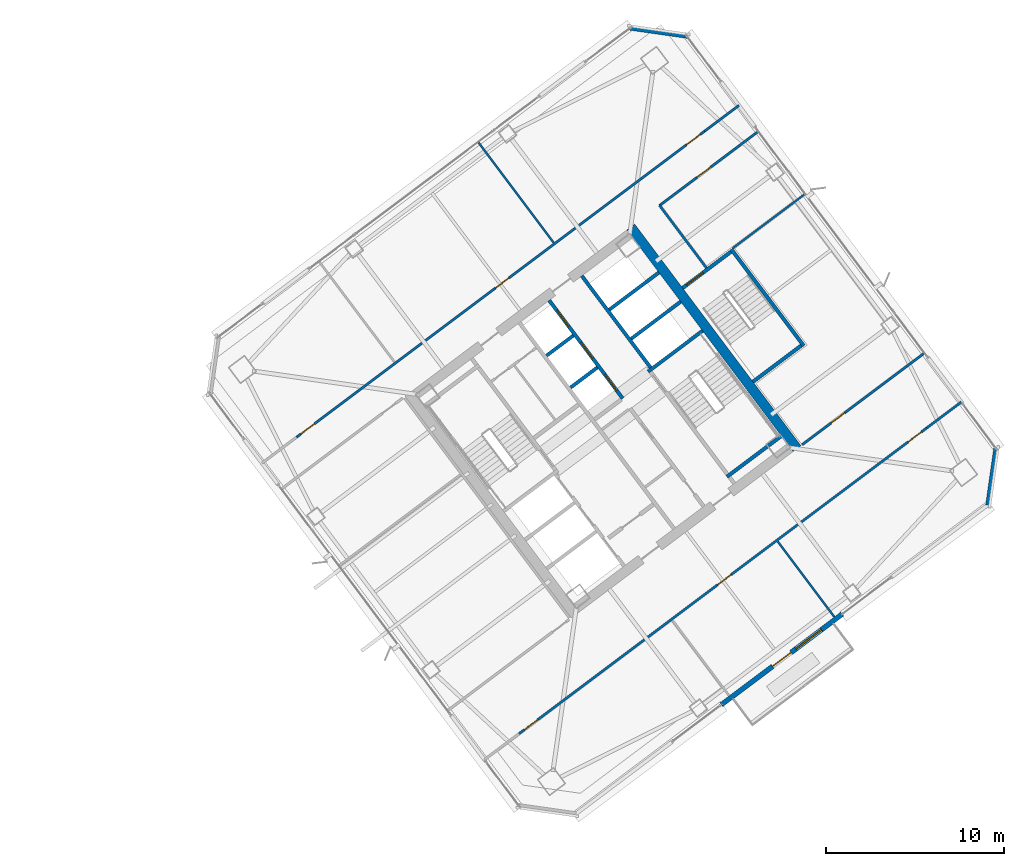
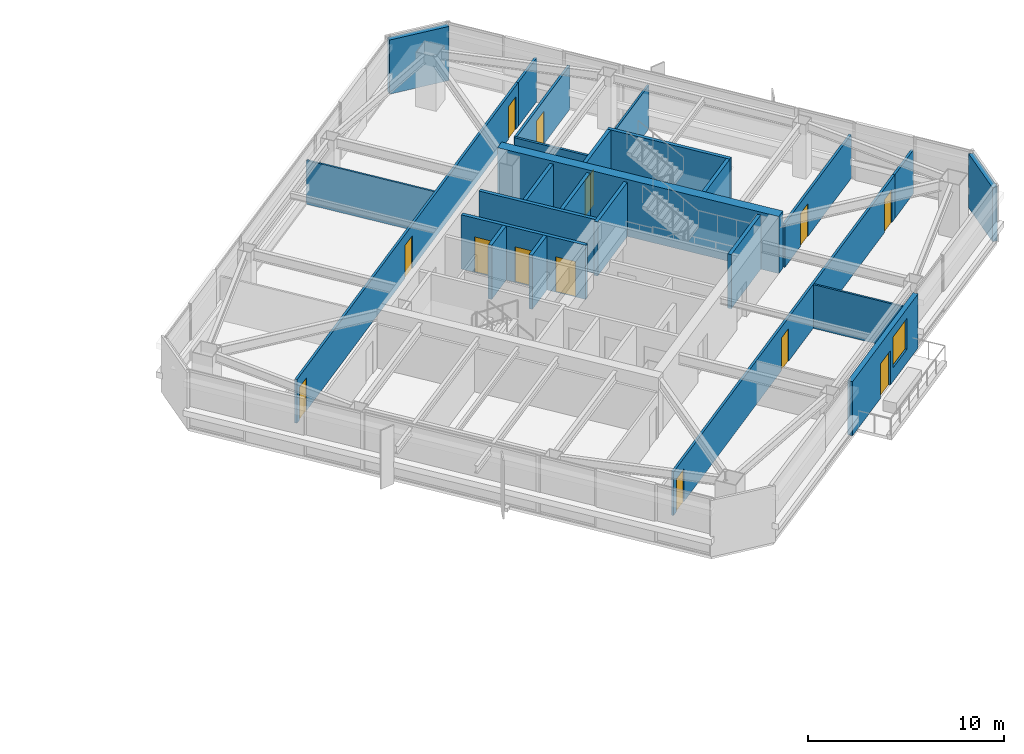
# One storey, part 39 of 46: 25 walls, 13 doors, 1 window, 14 openings.
"""IFC4 building model written with IfcOpenShell, lengths in metres."""

from ifc_helpers import new_model, si_unit, direction, frame, frame_2d, origin, place, context, subcontext, project, spatial, rectangle, extrude, material, layer, layer_set, type_object, element, fill, save


model = new_model("IFC4")

# Units and contexts
model_context = context("Model", 3, precision=1e-05, world=origin(), true_north=direction((0.0, 1.0)))
body_context = subcontext(model_context, "Body", "Model", "MODEL_VIEW")
ifc_project = project(units=[si_unit("LENGTHUNIT", "METRE"), si_unit("AREAUNIT", "SQUARE_METRE"), si_unit("VOLUMEUNIT", "CUBIC_METRE"), si_unit("PLANEANGLEUNIT", "RADIAN"), si_unit("MASSUNIT", "GRAM", prefix="KILO")], contexts=[model_context])

# Site, building, storey
site_placement = place(None, origin())
site = spatial("IfcSite", under=ifc_project, at=site_placement, CompositionType="ELEMENT")
building_placement = place(site_placement, origin())
building = spatial("IfcBuilding", under=site, at=building_placement, Name="Tashvorn Skyway Center", CompositionType="ELEMENT")
storey_placement = place(building_placement, frame((0.0, 0.0, 167.64990234375)))
storey = spatial("IfcBuildingStorey", under=building, at=storey_placement, Name="L45", CompositionType="ELEMENT", Elevation=167.64990234375)

# Wall
ifc_material_1 = material(Name="Concrete C60/75", Category="concrete")
ifc_layer_1 = layer(ifc_material_1, 0.550048828125)
ifc_layer_set_1 = layer_set([ifc_layer_1], Name="Concrete C60/75")
wall_type_1 = type_object("IfcWallType", Name="WALL-CORE-550", PredefinedType="SHEAR", material=ifc_layer_set_1)
wall_1_placement = place(storey_placement, frame((115.56396484375, 42.923095703125, 0.0), z_axis=(0.0, 0.0, 1.0), x_axis=(0.600005007985, -0.799996243986, 0.0)))
element("IfcWall", 1, at=wall_1_placement, inside=storey, type_object=wall_type_1, Name="Tower 2 L45 East Core Shear Wall", PredefinedType="SHEAR", context=body_context, shape_type="SweptSolid", body=[
    extrude(rectangle(XDim=15.60009765625, YDim=0.550048828125, at=frame_2d((7.800048828125, 0.0))), origin(), (0.0, 0.0, 1.0), 3.550048828125),
])

# Wall, openings, door, window
ifc_material_2 = material(Name="Precast concrete C40/50", Category="concrete")
ifc_layer_2 = layer(ifc_material_2, 0.280029296875)
ifc_layer_set_2 = layer_set([ifc_layer_2], Name="Precast concrete C40/50")
wall_type_2 = type_object("IfcWallType", Name="WALL-EXT-280", PredefinedType="SOLIDWALL", material=ifc_layer_set_2)
wall_2_placement = place(storey_placement, frame((127.468017578125, 21.1259765625, 0.0), z_axis=(0.0, 0.0, 1.0), x_axis=(-0.799996553335, -0.600004595526, 0.0)))
wall_2 = element("IfcWall", 2, at=wall_2_placement, inside=storey, type_object=wall_type_2, Name="Tower 2 L45 South Terrace Portal Wall", PredefinedType="SOLIDWALL", context=body_context, shape_type="SweptSolid", body=[
    extrude(rectangle(XDim=8.5, YDim=0.280029296875, at=frame_2d((4.25, 0.0))), origin(), (0.0, 0.0, 1.0), 3.3701171875),
])
opening_1_placement = place(wall_2_placement, frame((3.60009765625, 0.0, 0.0)))
opening_1 = element("IfcOpeningElement", 3, at=opening_1_placement, cuts=wall_2, Name="Opening D-TER-1300", PredefinedType="OPENING", context=body_context, shape_type="SweptSolid", body=[
    extrude(rectangle(XDim=1.300048828125, YDim=2.14990234375, at=frame_2d((0.64990234375, 1.074951171875))), frame((0.0, 0.14990234375, 0.0), z_axis=(0.0, -1.0, 0.0), x_axis=(1.0, 0.0, 0.0)), (0.0, 0.0, 1.0), 0.300048828125),
])
opening_2_placement = place(wall_2_placement, frame((1.4599609375, 0.0, 0.85009765625)))
opening_2 = element("IfcOpeningElement", 4, at=opening_2_placement, cuts=wall_2, Name="Opening WIN-1800", PredefinedType="OPENING", context=body_context, shape_type="SweptSolid", body=[
    extrude(rectangle(XDim=1.800048828125, YDim=1.919921875, at=frame_2d((0.89990234375, 0.9599609375))), frame((0.0, 0.14990234375, 0.0), z_axis=(0.0, -1.0, 0.0), x_axis=(1.0, 0.0, 0.0)), (0.0, 0.0, 1.0), 0.300048828125),
])
ifc_material_3 = material(Name="Thermally broken bronze-anodized aluminium 6063-T6", Category="aluminium")
door_type_1 = type_object("IfcDoorType", Name="DOOR-TERR-1300", OperationType="NOTDEFINED", PredefinedType="DOOR", material=ifc_material_3)
door_1_placement = place(opening_1_placement, origin())
door_1 = element("IfcDoor", 5, at=door_1_placement, inside=storey, type_object=door_type_1, Name="Tower 2 L45 Terrace Access Door", OperationType="SINGLE_SWING_RIGHT", OverallHeight=2.14990234375, OverallWidth=1.300048828125, PredefinedType="DOOR", context=body_context, shape_type="SweptSolid", body=[
    extrude(rectangle(XDim=1.300048828125, YDim=2.14990234375, at=frame_2d((0.64990234375, 1.074951171875))), frame((0.0, 0.02490234375, 0.0), z_axis=(0.0, -1.0, 0.0), x_axis=(1.0, 0.0, 0.0)), (0.0, 0.0, 1.0), 0.050048828125),
])
fill(opening_1, door_1)
ifc_material_4 = material(Name="Low-E solar-control double insulating safety glass", Category="glass")
window_type = type_object("IfcWindowType", Name="WIN-TERR-1800", PartitioningType="SINGLE_PANEL", PredefinedType="WINDOW", material=ifc_material_4)
window_placement = place(opening_2_placement, origin())
window = element("IfcWindow", 6, at=window_placement, inside=storey, type_object=window_type, Name="Tower 2 L45 Terrace Window", OverallHeight=1.919921875, OverallWidth=1.800048828125, PartitioningType="SINGLE_PANEL", PredefinedType="WINDOW", context=body_context, shape_type="SweptSolid", body=[
    extrude(rectangle(XDim=1.800048828125, YDim=1.919921875, at=frame_2d((0.89990234375, 0.9599609375))), frame((0.0, 0.030029296875, 0.0), z_axis=(0.0, -1.0, 0.0), x_axis=(1.0, 0.0, 0.0)), (0.0, 0.0, 1.0), 0.06005859375),
])
fill(opening_2, window)

# Walls
for number, where, z_axis, x_axis, name in (
    (7, (115.52001953125, 54.139892578125, 0.0), (0.0, 0.0, 1.0), (0.989950994782, -0.141410847992, 0.0), "Tower 2 L45 NE Precast Chamfer Wall"),
    (8, (136.139892578125, 30.47998046875, 0.0), (0.0, 0.0, 1.0), (-0.141410847992, -0.989950994782, 0.0), "Tower 2 L45 SE Precast Chamfer Wall"),
):
    element("IfcWall", number, at=place(storey_placement, frame(where, z_axis=z_axis, x_axis=x_axis)), inside=storey, type_object=wall_type_2, Name=name, PredefinedType="SOLIDWALL", context=body_context, shape_type="SweptSolid", body=[
        extrude(rectangle(XDim=3.252685546875, YDim=0.280029296875, at=frame_2d((1.62646484375, 0.0))), origin(), (0.0, 0.0, 1.0), 3.3701171875),
    ])
ifc_material_5 = material(Name="Gypsum board on cold-formed steel stud framing", Category="steel")
ifc_layer_3 = layer(ifc_material_5, 0.110107421875)
ifc_layer_set_3 = layer_set([ifc_layer_3], Name="Gypsum board on cold-formed steel stud framing")
wall_type_3 = type_object("IfcWallType", Name="WALL-PART-110", PredefinedType="PARTITIONING", material=ifc_layer_set_3)
wall_3_placement = place(storey_placement, frame((111.219970703125, 42.0400390625, 0.0), z_axis=(0.0, 0.0, 1.0), x_axis=(-0.6, 0.8, 0.0)))
element("IfcWall", 9, at=wall_3_placement, inside=storey, type_object=wall_type_3, Name="Tower 2 L45 North Suite Partition 2", PredefinedType="PARTITIONING", context=body_context, shape_type="SweptSolid", body=[
    extrude(rectangle(XDim=7.080078125, YDim=0.110107421875, at=frame_2d((3.5400390625, 0.0))), origin(), (0.0, 0.0, 1.0), 2.72314453125),
])
wall_4_placement = place(storey_placement, frame((127.01806640625, 20.97607421875, 0.0), z_axis=(0.0, 0.0, 1.0), x_axis=(-0.600022110212, 0.799983416863, 0.0)))
element("IfcWall", 10, at=wall_4_placement, inside=storey, type_object=wall_type_3, Name="Tower 2 L45 South Suite Partition 2", PredefinedType="PARTITIONING", context=body_context, shape_type="SweptSolid", body=[
    extrude(rectangle(XDim=5.300048828125, YDim=0.110107421875, at=frame_2d((2.64990234375, 0.0))), origin(), (0.0, 0.0, 1.0), 2.72314453125),
])
wall_5_placement = place(storey_placement, frame((125.384033203125, 44.7880859375, 0.0), z_axis=(0.0, 0.0, 1.0), x_axis=(-0.8, -0.6, 0.0)))
element("IfcWall", 11, at=wall_5_placement, inside=storey, type_object=wall_type_3, Name="Tower 2 L45 East Suite Partition 1", PredefinedType="PARTITIONING", context=body_context, shape_type="SweptSolid", body=[
    extrude(rectangle(XDim=5.10009765625, YDim=0.110107421875, at=frame_2d((2.550048828125, 0.0))), origin(), (0.0, 0.0, 1.0), 2.72314453125),
])
ifc_layer_4 = layer(ifc_material_5, 0.135009765625)
ifc_layer_set_4 = layer_set([ifc_layer_4], Name="Gypsum board on cold-formed steel stud framing")
wall_type_4 = type_object("IfcWallType", Name="WALL-PART-135", PredefinedType="PARTITIONING", material=ifc_layer_set_4)
wall_6_placement = place(storey_placement, frame((119.823974609375, 40.617919921875, 0.0), z_axis=(0.0, 0.0, 1.0), x_axis=(-0.599982243973, 0.800013316712, 0.0)))
element("IfcWall", 12, at=wall_6_placement, inside=storey, type_object=wall_type_4, Name="Tower 2 L45 Stair 3 Access Corridor Wall", PredefinedType="PARTITIONING", context=body_context, shape_type="SweptSolid", body=[
    extrude(rectangle(XDim=4.39990234375, YDim=0.135009765625, at=frame_2d((2.199951171875, 0.0))), origin(), (0.0, 0.0, 1.0), 2.72314453125),
])

# Wall, openings, doors
wall_7_placement = place(storey_placement, frame((96.748046875, 31.0859375, 0.0), z_axis=(0.0, 0.0, 1.0), x_axis=(0.8, 0.6, 0.0)))
wall_7 = element("IfcWall", 13, at=wall_7_placement, inside=storey, type_object=wall_type_4, Name="Tower 2 L45 North Suite Wall", PredefinedType="PARTITIONING", context=body_context, shape_type="SweptSolid", body=[
    extrude(rectangle(XDim=28.699951171875, YDim=0.135009765625, at=frame_2d((14.35009765625, 0.0))), origin(), (0.0, 0.0, 1.0), 2.72314453125),
])
opening_3_placement = place(wall_7_placement, frame((0.300048828125, 0.0, 0.0)))
opening_3 = element("IfcOpeningElement", 14, at=opening_3_placement, cuts=wall_7, Name="Opening D-INT-950", PredefinedType="OPENING", context=body_context, shape_type="SweptSolid", body=[
    extrude(rectangle(XDim=0.949951171875, YDim=2.050048828125, at=frame_2d((0.47509765625, 1.02490234375))), frame((0.0, 0.077392578125, 0.0), z_axis=(0.0, -1.0, 0.0), x_axis=(1.0, 0.0, 0.0)), (0.0, 0.0, 1.0), 0.155029296875),
])
opening_4_placement = place(wall_7_placement, frame((13.99853515625, 0.0, 0.0)))
opening_4 = element("IfcOpeningElement", 15, at=opening_4_placement, cuts=wall_7, Name="Opening D-INT-950", PredefinedType="OPENING", context=body_context, shape_type="SweptSolid", body=[
    extrude(rectangle(XDim=0.949951171875, YDim=2.050048828125, at=frame_2d((0.47509765625, 1.02490234375))), frame((0.0, 0.077392578125, 0.0), z_axis=(0.0, -1.0, 0.0), x_axis=(1.0, 0.0, 0.0)), (0.0, 0.0, 1.0), 0.155029296875),
])
opening_5_placement = place(wall_7_placement, frame((27.449951171875, 0.0, 0.0)))
opening_5 = element("IfcOpeningElement", 16, at=opening_5_placement, cuts=wall_7, Name="Opening D-INT-950", PredefinedType="OPENING", context=body_context, shape_type="SweptSolid", body=[
    extrude(rectangle(XDim=0.949951171875, YDim=2.050048828125, at=frame_2d((0.47509765625, 1.02490234375))), frame((0.0, 0.077392578125, 0.0), z_axis=(0.0, -1.0, 0.0), x_axis=(1.0, 0.0, 0.0)), (0.0, 0.0, 1.0), 0.155029296875),
])
ifc_material_6 = material(Name="Solid-core architectural oak veneer door")
door_type_2 = type_object("IfcDoorType", Name="DOOR-INT-950", OperationType="NOTDEFINED", PredefinedType="DOOR", material=ifc_material_6)
door_2_placement = place(opening_3_placement, origin())
door_2 = element("IfcDoor", 17, at=door_2_placement, inside=storey, type_object=door_type_2, Name="Tower 2 L45 Open Plan Office Door", OperationType="SINGLE_SWING_LEFT", OverallHeight=2.050048828125, OverallWidth=0.949951171875, PredefinedType="DOOR", context=body_context, shape_type="SweptSolid", body=[
    extrude(rectangle(XDim=0.949951171875, YDim=2.050048828125, at=frame_2d((0.47509765625, 1.02490234375))), frame((0.0, 0.02490234375, 0.0), z_axis=(0.0, -1.0, 0.0), x_axis=(1.0, 0.0, 0.0)), (0.0, 0.0, 1.0), 0.050048828125),
])
fill(opening_3, door_2)
door_3_placement = place(opening_4_placement, origin())
door_3 = element("IfcDoor", 18, at=door_3_placement, inside=storey, type_object=door_type_2, Name="Tower 2 L45 Open Plan Office Door", OperationType="SINGLE_SWING_RIGHT", OverallHeight=2.050048828125, OverallWidth=0.949951171875, PredefinedType="DOOR", context=body_context, shape_type="SweptSolid", body=[
    extrude(rectangle(XDim=0.949951171875, YDim=2.050048828125, at=frame_2d((0.47509765625, 1.02490234375))), frame((0.0, 0.02490234375, 0.0), z_axis=(0.0, -1.0, 0.0), x_axis=(1.0, 0.0, 0.0)), (0.0, 0.0, 1.0), 0.050048828125),
])
fill(opening_4, door_3)
door_4_placement = place(opening_5_placement, origin())
door_4 = element("IfcDoor", 19, at=door_4_placement, inside=storey, type_object=door_type_2, Name="Tower 2 L45 Design Studio Door", OperationType="SINGLE_SWING_LEFT", OverallHeight=2.050048828125, OverallWidth=0.949951171875, PredefinedType="DOOR", context=body_context, shape_type="SweptSolid", body=[
    extrude(rectangle(XDim=0.949951171875, YDim=2.050048828125, at=frame_2d((0.47509765625, 1.02490234375))), frame((0.0, 0.02490234375, 0.0), z_axis=(0.0, -1.0, 0.0), x_axis=(1.0, 0.0, 0.0)), (0.0, 0.0, 1.0), 0.050048828125),
])
fill(opening_5, door_4)

# Wall
wall_8_placement = place(storey_placement, frame((119.7080078125, 48.305908203125, 0.0), z_axis=(0.0, 0.0, 1.0), x_axis=(0.800012055778, 0.599983925293, 0.0)))
element("IfcWall", 20, at=wall_8_placement, inside=storey, type_object=wall_type_4, Name="Tower 2 L45 North-East Suite South Wall", PredefinedType="PARTITIONING", context=body_context, shape_type="SweptSolid", body=[
    extrude(rectangle(XDim=2.43017578125, YDim=0.135009765625, at=frame_2d((1.215087890625, 0.0))), origin(), (0.0, 0.0, 1.0), 2.72314453125),
])

# Wall, openings, doors
wall_9_placement = place(storey_placement, frame((132.22998046875, 31.610107421875, 0.0), z_axis=(0.0, 0.0, 1.0), x_axis=(-0.799995916807, -0.600005444218, 0.0)))
wall_9 = element("IfcWall", 21, at=wall_9_placement, inside=storey, type_object=wall_type_4, Name="Tower 2 L45 South Suite Wall", PredefinedType="PARTITIONING", context=body_context, shape_type="SweptSolid", body=[
    extrude(rectangle(XDim=28.7001953125, YDim=0.135009765625, at=frame_2d((14.35009765625, 0.0))), origin(), (0.0, 0.0, 1.0), 2.72314453125),
])
opening_6_placement = place(wall_9_placement, frame((27.3701171875, 0.0, 0.0)))
opening_6 = element("IfcOpeningElement", 22, at=opening_6_placement, cuts=wall_9, Name="Opening D-INT-950", PredefinedType="OPENING", context=body_context, shape_type="SweptSolid", body=[
    extrude(rectangle(XDim=0.949951171875, YDim=2.050048828125, at=frame_2d((0.47509765625, 1.02490234375))), frame((0.0, 0.077392578125, 0.0), z_axis=(0.0, -1.0, 0.0), x_axis=(1.0, 0.0, 0.0)), (0.0, 0.0, 1.0), 0.155029296875),
])
opening_7_placement = place(wall_9_placement, frame((13.77490234375, 0.0, 0.0)))
opening_7 = element("IfcOpeningElement", 23, at=opening_7_placement, cuts=wall_9, Name="Opening D-INT-950", PredefinedType="OPENING", context=body_context, shape_type="SweptSolid", body=[
    extrude(rectangle(XDim=0.949951171875, YDim=2.050048828125, at=frame_2d((0.47509765625, 1.02490234375))), frame((0.0, 0.077392578125, 0.0), z_axis=(0.0, -1.0, 0.0), x_axis=(1.0, 0.0, 0.0)), (0.0, 0.0, 1.0), 0.155029296875),
])
opening_8_placement = place(wall_9_placement, frame((0.3798828125, 0.0, 0.0)))
opening_8 = element("IfcOpeningElement", 24, at=opening_8_placement, cuts=wall_9, Name="Opening D-INT-950", PredefinedType="OPENING", context=body_context, shape_type="SweptSolid", body=[
    extrude(rectangle(XDim=0.949951171875, YDim=2.050048828125, at=frame_2d((0.47509765625, 1.02490234375))), frame((0.0, 0.077392578125, 0.0), z_axis=(0.0, -1.0, 0.0), x_axis=(1.0, 0.0, 0.0)), (0.0, 0.0, 1.0), 0.155029296875),
])
door_5_placement = place(opening_6_placement, origin())
door_5 = element("IfcDoor", 25, at=door_5_placement, inside=storey, type_object=door_type_2, Name="Tower 2 L45 Open Plan Office Door", OperationType="SINGLE_SWING_RIGHT", OverallHeight=2.050048828125, OverallWidth=0.949951171875, PredefinedType="DOOR", context=body_context, shape_type="SweptSolid", body=[
    extrude(rectangle(XDim=0.949951171875, YDim=2.050048828125, at=frame_2d((0.47509765625, 1.02490234375))), frame((0.0, 0.02490234375, 0.0), z_axis=(0.0, -1.0, 0.0), x_axis=(1.0, 0.0, 0.0)), (0.0, 0.0, 1.0), 0.050048828125),
])
fill(opening_6, door_5)
door_6_placement = place(opening_7_placement, origin())
door_6 = element("IfcDoor", 26, at=door_6_placement, inside=storey, type_object=door_type_2, Name="Tower 2 L45 Design Studio Door", OperationType="SINGLE_SWING_LEFT", OverallHeight=2.050048828125, OverallWidth=0.949951171875, PredefinedType="DOOR", context=body_context, shape_type="SweptSolid", body=[
    extrude(rectangle(XDim=0.949951171875, YDim=2.050048828125, at=frame_2d((0.47509765625, 1.02490234375))), frame((0.0, 0.02490234375, 0.0), z_axis=(0.0, -1.0, 0.0), x_axis=(1.0, 0.0, 0.0)), (0.0, 0.0, 1.0), 0.050048828125),
])
fill(opening_7, door_6)
door_7_placement = place(opening_8_placement, origin())
door_7 = element("IfcDoor", 27, at=door_7_placement, inside=storey, type_object=door_type_2, Name="Tower 2 L45 Design Studio Door", OperationType="SINGLE_SWING_RIGHT", OverallHeight=2.050048828125, OverallWidth=0.949951171875, PredefinedType="DOOR", context=body_context, shape_type="SweptSolid", body=[
    extrude(rectangle(XDim=0.949951171875, YDim=2.050048828125, at=frame_2d((0.47509765625, 1.02490234375))), frame((0.0, 0.02490234375, 0.0), z_axis=(0.0, -1.0, 0.0), x_axis=(1.0, 0.0, 0.0)), (0.0, 0.0, 1.0), 0.050048828125),
])
fill(opening_8, door_7)

# Wall
wall_10_placement = place(storey_placement, frame((132.22998046875, 31.610107421875, 0.0), z_axis=(0.0, 0.0, 1.0), x_axis=(0.800012055778, 0.599983925293, 0.0)))
element("IfcWall", 28, at=wall_10_placement, inside=storey, type_object=wall_type_4, Name="Tower 2 L45 South-East Suite North Wall", PredefinedType="PARTITIONING", context=body_context, shape_type="SweptSolid", body=[
    extrude(rectangle(XDim=2.43017578125, YDim=0.135009765625, at=frame_2d((1.215087890625, 0.0))), origin(), (0.0, 0.0, 1.0), 2.72314453125),
])

# Wall, opening, door
wall_11_placement = place(storey_placement, frame((122.743896484375, 48.30810546875, 0.0), z_axis=(0.0, 0.0, 1.0), x_axis=(-0.79997892247, -0.600028102345, 0.0)))
wall_11 = element("IfcWall", 29, at=wall_11_placement, inside=storey, type_object=wall_type_4, Name="Tower 2 L45 East Suite North Wall", PredefinedType="PARTITIONING", context=body_context, shape_type="SweptSolid", body=[
    extrude(rectangle(XDim=6.949951171875, YDim=0.135009765625, at=frame_2d((3.47509765625, 0.0))), origin(), (0.0, 0.0, 1.0), 2.72314453125),
])
opening_9_placement = place(wall_11_placement, frame((3.35009765625, 0.0, 0.0)))
opening_9 = element("IfcOpeningElement", 30, at=opening_9_placement, cuts=wall_11, Name="Opening D-INT-950", PredefinedType="OPENING", context=body_context, shape_type="SweptSolid", body=[
    extrude(rectangle(XDim=0.949951171875, YDim=2.050048828125, at=frame_2d((0.47509765625, 1.02490234375))), frame((0.0, 0.077392578125, 0.0), z_axis=(0.0, -1.0, 0.0), x_axis=(1.0, 0.0, 0.0)), (0.0, 0.0, 1.0), 0.155029296875),
])
door_8_placement = place(opening_9_placement, origin())
door_8 = element("IfcDoor", 31, at=door_8_placement, inside=storey, type_object=door_type_2, Name="Tower 2 L45 Executive Study Lounge Door", OperationType="SINGLE_SWING_LEFT", OverallHeight=2.050048828125, OverallWidth=0.949951171875, PredefinedType="DOOR", context=body_context, shape_type="SweptSolid", body=[
    extrude(rectangle(XDim=0.949951171875, YDim=2.050048828125, at=frame_2d((0.47509765625, 1.02490234375))), frame((0.0, 0.02490234375, 0.0), z_axis=(0.0, -1.0, 0.0), x_axis=(1.0, 0.0, 0.0)), (0.0, 0.0, 1.0), 0.050048828125),
])
fill(opening_9, door_8)

wall_12_placement = place(storey_placement, frame((125.2080078125, 30.656005859375, 0.0), z_axis=(0.0, 0.0, 1.0), x_axis=(0.800006797429, 0.599990936654, 0.0)))
wall_12 = element("IfcWall", 32, at=wall_12_placement, inside=storey, type_object=wall_type_4, Name="Tower 2 L45 East Suite South Wall", PredefinedType="PARTITIONING", context=body_context, shape_type="SweptSolid", body=[
    extrude(rectangle(XDim=8.619873046875, YDim=0.135009765625, at=frame_2d((4.31005859375, 0.0))), origin(), (0.0, 0.0, 1.0), 2.72314453125),
])
opening_10_placement = place(wall_12_placement, frame((2.044921875, 0.0, 0.0)))
opening_10 = element("IfcOpeningElement", 33, at=opening_10_placement, cuts=wall_12, Name="Opening D-INT-950", PredefinedType="OPENING", context=body_context, shape_type="SweptSolid", body=[
    extrude(rectangle(XDim=0.949951171875, YDim=2.050048828125, at=frame_2d((0.47509765625, 1.02490234375))), frame((0.0, 0.077392578125, 0.0), z_axis=(0.0, -1.0, 0.0), x_axis=(1.0, 0.0, 0.0)), (0.0, 0.0, 1.0), 0.155029296875),
])
door_9_placement = place(opening_10_placement, origin())
door_9 = element("IfcDoor", 34, at=door_9_placement, inside=storey, type_object=door_type_2, Name="Tower 2 L45 Public Restroom Door", OperationType="SINGLE_SWING_RIGHT", OverallHeight=2.050048828125, OverallWidth=0.949951171875, PredefinedType="DOOR", context=body_context, shape_type="SweptSolid", body=[
    extrude(rectangle(XDim=0.949951171875, YDim=2.050048828125, at=frame_2d((0.47509765625, 1.02490234375))), frame((0.0, 0.02490234375, 0.0), z_axis=(0.0, -1.0, 0.0), x_axis=(1.0, 0.0, 0.0)), (0.0, 0.0, 1.0), 0.050048828125),
])
fill(opening_10, door_9)

# Walls
ifc_material_7 = material(Name="Concrete C40/50", Category="concrete")
ifc_layer_5 = layer(ifc_material_7, 0.199951171875)
ifc_layer_set_5 = layer_set([ifc_layer_5], Name="Concrete C40/50")
wall_type_5 = type_object("IfcWallType", Name="WALL-SHAFT-200", PredefinedType="SOLIDWALL", material=ifc_layer_set_5)
for number, where, z_axis, x_axis, name in (
    (35, (115.590087890625, 36.6298828125, 0.0), (0.0, 0.0, 1.0), (0.799974743577, 0.600033673754, 0.0), "Tower 2 L45 High-Rise Shaft Divider"),
    (36, (114.360107421875, 38.27001953125, 0.0), (0.0, 0.0, 1.0), (0.800008418847, 0.599988774707, 0.0), "Tower 2 L45 High-Rise Shaft Divider"),
):
    element("IfcWall", number, at=place(storey_placement, frame(where, z_axis=z_axis, x_axis=x_axis)), inside=storey, type_object=wall_type_5, Name=name, PredefinedType="SOLIDWALL", context=body_context, shape_type="SweptSolid", body=[
        extrude(rectangle(XDim=3.47998046875, YDim=0.199951171875, at=frame_2d((1.739990234375, 0.0))), origin(), (0.0, 0.0, 1.0), 3.3701171875),
    ])

# Wall, openings, doors
wall_13_placement = place(storey_placement, frame((115.110107421875, 33.27001953125, 0.0), z_axis=(0.0, 0.0, 1.0), x_axis=(-0.600011322243, 0.799991508192, 0.0)))
wall_13 = element("IfcWall", 37, at=wall_13_placement, inside=storey, type_object=wall_type_5, Name="Tower 2 L45 Mid-Rise Core Wall", PredefinedType="SOLIDWALL", context=body_context, shape_type="SweptSolid", body=[
    extrude(rectangle(XDim=6.900146484375, YDim=0.199951171875, at=frame_2d((3.4501953125, 0.0))), origin(), (0.0, 0.0, 1.0), 3.3701171875),
])
opening_11_placement = place(wall_13_placement, frame((0.574951171875, 0.0, 0.0)))
opening_11 = element("IfcOpeningElement", 38, at=opening_11_placement, cuts=wall_13, Name="Opening LD-MR-T2-1-L45", PredefinedType="OPENING", context=body_context, shape_type="SweptSolid", body=[
    extrude(rectangle(XDim=1.10009765625, YDim=2.199951171875, at=frame_2d((0.550048828125, 1.10009765625))), frame((0.0, 0.10986328125, 0.0), z_axis=(0.0, -1.0, 0.0), x_axis=(1.0, 0.0, 0.0)), (0.0, 0.0, 1.0), 0.219970703125),
])
opening_12_placement = place(wall_13_placement, frame((2.824951171875, 0.0, 0.0)))
opening_12 = element("IfcOpeningElement", 39, at=opening_12_placement, cuts=wall_13, Name="Opening LD-MR-T2-2-L45", PredefinedType="OPENING", context=body_context, shape_type="SweptSolid", body=[
    extrude(rectangle(XDim=1.10009765625, YDim=2.199951171875, at=frame_2d((0.550048828125, 1.10009765625))), frame((0.0, 0.10986328125, 0.0), z_axis=(0.0, -1.0, 0.0), x_axis=(1.0, 0.0, 0.0)), (0.0, 0.0, 1.0), 0.219970703125),
])
opening_13_placement = place(wall_13_placement, frame((5.074951171875, 0.0, 0.0)))
opening_13 = element("IfcOpeningElement", 40, at=opening_13_placement, cuts=wall_13, Name="Opening LD-MR-T2-3-L45", PredefinedType="OPENING", context=body_context, shape_type="SweptSolid", body=[
    extrude(rectangle(XDim=1.10009765625, YDim=2.199951171875, at=frame_2d((0.550048828125, 1.10009765625))), frame((0.0, 0.10986328125, 0.0), z_axis=(0.0, -1.0, 0.0), x_axis=(1.0, 0.0, 0.0)), (0.0, 0.0, 1.0), 0.219970703125),
])
ifc_material_8 = material(Name="Stainless steel landing door", Category="steel")
door_type_3 = type_object("IfcDoorType", Name="DOOR-LIFT-1100", OperationType="SLIDING_TO_LEFT", PredefinedType="DOOR", material=ifc_material_8)
door_10_placement = place(opening_11_placement, origin())
door_10 = element("IfcDoor", 41, at=door_10_placement, inside=storey, type_object=door_type_3, Name="Lift MR-T2-1 L45 Landing Door", OperationType="SLIDING_TO_LEFT", OverallHeight=2.199951171875, OverallWidth=1.10009765625, PredefinedType="DOOR", context=body_context, shape_type="SweptSolid", body=[
    extrude(rectangle(XDim=1.10009765625, YDim=2.199951171875, at=frame_2d((0.550048828125, 1.10009765625))), frame((0.0, 0.02490234375, 0.0), z_axis=(0.0, -1.0, 0.0), x_axis=(1.0, 0.0, 0.0)), (0.0, 0.0, 1.0), 0.050048828125),
])
fill(opening_11, door_10)
door_11_placement = place(opening_12_placement, origin())
door_11 = element("IfcDoor", 42, at=door_11_placement, inside=storey, type_object=door_type_3, Name="Lift MR-T2-2 L45 Landing Door", OperationType="SLIDING_TO_LEFT", OverallHeight=2.199951171875, OverallWidth=1.10009765625, PredefinedType="DOOR", context=body_context, shape_type="SweptSolid", body=[
    extrude(rectangle(XDim=1.10009765625, YDim=2.199951171875, at=frame_2d((0.550048828125, 1.10009765625))), frame((0.0, 0.02490234375, 0.0), z_axis=(0.0, -1.0, 0.0), x_axis=(1.0, 0.0, 0.0)), (0.0, 0.0, 1.0), 0.050048828125),
])
fill(opening_12, door_11)
door_12_placement = place(opening_13_placement, origin())
door_12 = element("IfcDoor", 43, at=door_12_placement, inside=storey, type_object=door_type_3, Name="Lift MR-T2-3 L45 Landing Door", OperationType="SLIDING_TO_LEFT", OverallHeight=2.199951171875, OverallWidth=1.10009765625, PredefinedType="DOOR", context=body_context, shape_type="SweptSolid", body=[
    extrude(rectangle(XDim=1.10009765625, YDim=2.199951171875, at=frame_2d((0.550048828125, 1.10009765625))), frame((0.0, 0.02490234375, 0.0), z_axis=(0.0, -1.0, 0.0), x_axis=(1.0, 0.0, 0.0)), (0.0, 0.0, 1.0), 0.050048828125),
])
fill(opening_13, door_12)

# Walls
wall_14_placement = place(storey_placement, frame((112.176025390625, 33.882080078125, 0.0), z_axis=(0.0, 0.0, 1.0), x_axis=(0.8, 0.6, 0.0)))
element("IfcWall", 44, at=wall_14_placement, inside=storey, type_object=wall_type_5, Name="Tower 2 L45 Mid-Rise Shaft Divider", PredefinedType="SOLIDWALL", context=body_context, shape_type="SweptSolid", body=[
    extrude(rectangle(XDim=1.8798828125, YDim=0.199951171875, at=frame_2d((0.93994140625, 0.0))), origin(), (0.0, 0.0, 1.0), 3.3701171875),
])
wall_15_placement = place(storey_placement, frame((110.825927734375, 35.681884765625, 0.0), z_axis=(0.0, 0.0, 1.0), x_axis=(0.799984418148, 0.600020775241, 0.0)))
element("IfcWall", 45, at=wall_15_placement, inside=storey, type_object=wall_type_5, Name="Tower 2 L45 Mid-Rise Shaft Divider", PredefinedType="SOLIDWALL", context=body_context, shape_type="SweptSolid", body=[
    extrude(rectangle(XDim=1.880126953125, YDim=0.199951171875, at=frame_2d((0.93994140625, 0.0))), origin(), (0.0, 0.0, 1.0), 3.3701171875),
])
ifc_layer_6 = layer(ifc_material_7, 0.199951171875)
ifc_layer_set_6 = layer_set([ifc_layer_6], Name="Concrete C40/50")
wall_type_6 = type_object("IfcWallType", Name="WALL-STSHF-200", PredefinedType="SHEAR", material=ifc_layer_set_6)
for number, where, z_axis, x_axis, name in (
    (46, (116.5400390625, 34.780029296875, 0.0), (0.0, 0.0, 1.0), (0.800015298837, 0.599979601008, 0.0), "Tower 2 L45 Stair 2 North Wall"),
    (47, (120.97998046875, 28.860107421875, 0.0), (0.0, 0.0, 1.0), (0.800015298837, 0.599979601008, 0.0), "Tower 2 L45 Stair 2 South Wall"),
):
    element("IfcWall", number, at=place(storey_placement, frame(where, z_axis=z_axis, x_axis=x_axis)), inside=storey, type_object=wall_type_6, Name=name, PredefinedType="SHEAR", context=body_context, shape_type="SweptSolid", body=[
        extrude(rectangle(XDim=3.829833984375, YDim=0.199951171875, at=frame_2d((1.9150390625, 0.0))), origin(), (0.0, 0.0, 1.0), 3.3701171875),
    ])
wall_16_placement = place(storey_placement, frame((112.81005859375, 40.169921875, 0.0), z_axis=(0.0, 0.0, 1.0), x_axis=(0.599993943644, -0.800004542231, 0.0)))
element("IfcWall", 48, at=wall_16_placement, inside=storey, type_object=wall_type_6, Name="Tower 2 L45 High-Rise Lift Shaft Front Wall", PredefinedType="SHEAR", context=body_context, shape_type="SweptSolid", body=[
    extrude(rectangle(XDim=6.449951171875, YDim=0.199951171875, at=frame_2d((3.22509765625, 0.0))), origin(), (0.0, 0.0, 1.0), 3.3701171875),
])
wall_17_placement = place(storey_placement, frame((125.303955078125, 36.22802734375, 0.0), z_axis=(0.0, 0.0, 1.0), x_axis=(-0.59998851072, 0.800008616831, 0.0)))
element("IfcWall", 49, at=wall_17_placement, inside=storey, type_object=wall_type_6, Name="Tower 2 L45 Stair 3 Outer Wall", PredefinedType="SHEAR", context=body_context, shape_type="SweptSolid", body=[
    extrude(rectangle(XDim=6.7998046875, YDim=0.199951171875, at=frame_2d((3.39990234375, 0.0))), origin(), (0.0, 0.0, 1.0), 3.3701171875),
])

# Wall, opening, door
wall_18_placement = place(storey_placement, frame((121.2041015625, 41.528076171875, 0.0), z_axis=(0.0, 0.0, 1.0), x_axis=(-0.800017232136, -0.599977023131, 0.0)))
wall_18 = element("IfcWall", 50, at=wall_18_placement, inside=storey, type_object=wall_type_6, Name="Tower 2 L45 Stair 3 Enclosure Wall", PredefinedType="SHEAR", context=body_context, shape_type="SweptSolid", body=[
    extrude(rectangle(XDim=3.400146484375, YDim=0.199951171875, at=frame_2d((1.7001953125, 0.0))), origin(), (0.0, 0.0, 1.0), 3.3701171875),
])
opening_14_placement = place(wall_18_placement, frame((1.97509765625, 0.0, 0.0)))
opening_14 = element("IfcOpeningElement", 51, at=opening_14_placement, cuts=wall_18, Name="Opening D-ST-1150", PredefinedType="OPENING", context=body_context, shape_type="SweptSolid", body=[
    extrude(rectangle(XDim=1.14990234375, YDim=2.199951171875, at=frame_2d((0.574951171875, 1.10009765625))), frame((0.0, 0.10986328125, 0.0), z_axis=(0.0, -1.0, 0.0), x_axis=(1.0, 0.0, 0.0)), (0.0, 0.0, 1.0), 0.219970703125),
])
ifc_material_9 = material(Name="Hollow galvanized steel fire door assembly", Category="steel")
door_type_4 = type_object("IfcDoorType", Name="DOOR-STAIR-1150", OperationType="NOTDEFINED", PredefinedType="DOOR", material=ifc_material_9)
door_13_placement = place(opening_14_placement, origin())
door_13 = element("IfcDoor", 52, at=door_13_placement, inside=storey, type_object=door_type_4, Name="Tower 2 L45 Exit Stair 3 Door", OperationType="SINGLE_SWING_RIGHT", OverallHeight=2.199951171875, OverallWidth=1.14990234375, PredefinedType="DOOR", context=body_context, shape_type="SweptSolid", body=[
    extrude(rectangle(XDim=1.14990234375, YDim=2.199951171875, at=frame_2d((0.574951171875, 1.10009765625))), frame((0.0, 0.02490234375, 0.0), z_axis=(0.0, -1.0, 0.0), x_axis=(1.0, 0.0, 0.0)), (0.0, 0.0, 1.0), 0.050048828125),
])
fill(opening_14, door_13)

# Wall
wall_19_placement = place(storey_placement, frame((122.444091796875, 34.2080078125, 0.0), z_axis=(0.0, 0.0, 1.0), x_axis=(0.79999138319, 0.600011488909, 0.0)))
element("IfcWall", 53, at=wall_19_placement, inside=storey, type_object=wall_type_6, Name="Tower 2 L45 Stair 3 South Wall", PredefinedType="SHEAR", context=body_context, shape_type="SweptSolid", body=[
    extrude(rectangle(XDim=3.39990234375, YDim=0.199951171875, at=frame_2d((1.699951171875, 0.0))), origin(), (0.0, 0.0, 1.0), 3.3701171875),
])

save(model, "model.ifc")
